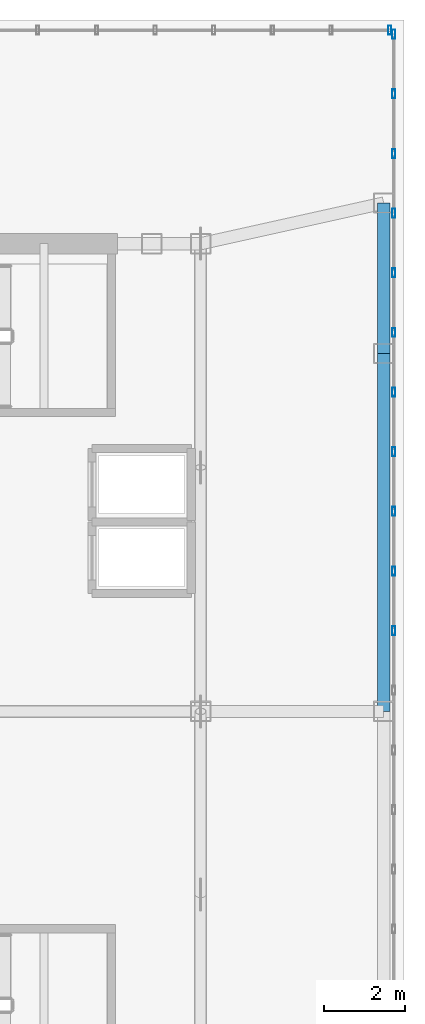
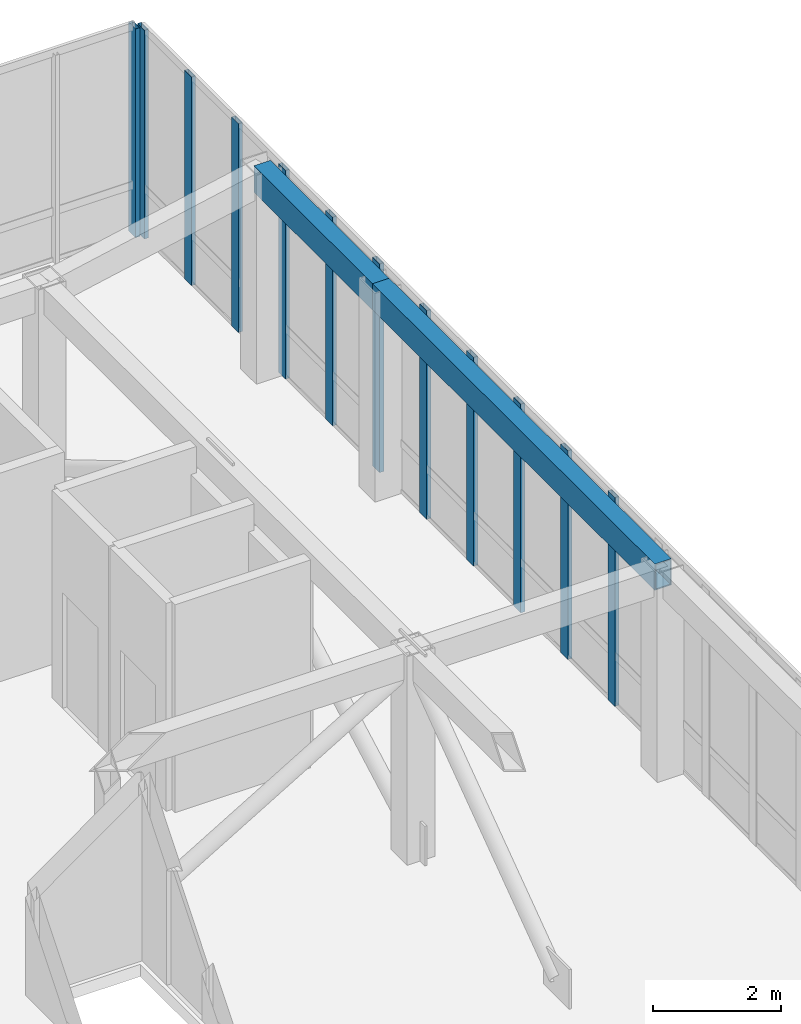
# One storey, part 10 of 13: 12 members, 2 beams, 2 elements without a shape of their own.
"""IFC4 building model written with IfcOpenShell, lengths in metres."""

from ifc_helpers import new_model, si_unit, direction, frame, origin, origin_2d, place, context, subcontext, project, spatial, hollow_rectangle, extrude, source, transform, mapped, material, layer, layer_set, material_profile, profile_set, type_object, element, aggregate, save


model = new_model("IFC4")

# Units and contexts
model_context = context("Model", 3, precision=1e-05, world=origin(), true_north=direction((0.0, 1.0)))
body_context = subcontext(model_context, "Body", "Model", "MODEL_VIEW")
ifc_project = project(units=[si_unit("LENGTHUNIT", "METRE"), si_unit("AREAUNIT", "SQUARE_METRE"), si_unit("VOLUMEUNIT", "CUBIC_METRE"), si_unit("PLANEANGLEUNIT", "RADIAN"), si_unit("MASSUNIT", "GRAM", prefix="KILO")], contexts=[model_context])

# Site, building, storey
site_placement = place(None, origin())
site = spatial("IfcSite", under=ifc_project, at=site_placement, CompositionType="ELEMENT")
building_placement = place(site_placement, origin())
building = spatial("IfcBuilding", under=site, at=building_placement, Name="Kharzan Plaza Tower", CompositionType="ELEMENT")
storey_placement = place(building_placement, frame((0.0, 0.0, 281.39990234375)))
storey = spatial("IfcBuildingStorey", under=building, at=storey_placement, Name="L76-CROWN", CompositionType="ELEMENT", Elevation=281.39990234375)

# Beams
ifc_material_1 = material(Name="Steel S355", Category="steel")
ifc_material_profile_1 = material_profile(ifc_material_1, hollow_rectangle(XDim=0.300048828125, YDim=0.5, WallThickness=0.02001953125, at=origin_2d()), Name="RHS500x300x20")
ifc_profile_set_1 = profile_set([ifc_material_profile_1], Name="Steel S355")
beam_type = type_object("IfcBeamType", Name="BM-CRN500", PredefinedType="BEAM", material=ifc_profile_set_1)
shared_shape_1 = source(origin(), body_context, "Body", "SweptSolid", [
    extrude(hollow_rectangle(XDim=0.300048828125, YDim=0.5, WallThickness=0.02001953125, at=origin_2d()), origin(), (0.0, 0.0, 1.0), 8.800048828125),
])
beam_1_placement = place(storey_placement, frame((19.0, 18.0, 3.72021484375), z_axis=(0.0, 1.0, 0.0), x_axis=(-1.0, 0.0, 0.0)))
element("IfcBeam", 1, at=beam_1_placement, inside=storey, type_object=beam_type, Name="L76-CROWN CROWN FRAME Lantern Ring Beam CRB-E2", PredefinedType="BEAM", context=body_context, shape_type="MappedRepresentation", body=[
    mapped(shared_shape_1, transform((0.0, 0.0, 0.0), x_axis=(1.0, 0.0, 0.0), y_axis=(0.0, 1.0, 0.0), z_axis=(0.0, 0.0, 1.0))),
])
shared_shape_2 = source(origin(), body_context, "Body", "SweptSolid", [
    extrude(hollow_rectangle(XDim=0.300048828125, YDim=0.5, WallThickness=0.02001953125, at=origin_2d()), origin(), (0.0, 0.0, 1.0), 3.699951171875),
])
beam_2_placement = place(storey_placement, frame((19.0, 26.800048828125, 3.72021484375), z_axis=(0.0, 1.0, 0.0), x_axis=(-1.0, 0.0, 0.0)))
element("IfcBeam", 2, at=beam_2_placement, inside=storey, type_object=beam_type, Name="L76-CROWN CROWN FRAME Lantern Ring Beam CRB-E3", PredefinedType="BEAM", context=body_context, shape_type="MappedRepresentation", body=[
    mapped(shared_shape_2, transform((0.0, 0.0, 0.0), x_axis=(1.0, 0.0, 0.0), y_axis=(0.0, 1.0, 0.0), z_axis=(0.0, 0.0, 1.0))),
])

# Curtain wall, members
ifc_material_2 = material(Name="Unitised Bronze-Anodized Aluminium and Low-E Glass", Category="aluminium")
ifc_layer = layer(ifc_material_2, 0.199951171875)
ifc_layer_set = layer_set([ifc_layer], Name="Unitised Bronze-Anodized Aluminium and Low-E Glass")
curtain_wall_type = type_object("IfcCurtainWallType", Name="CW-LANTERN-6", PredefinedType="NOTDEFINED", material=ifc_layer_set)
curtain_wall_1_placement = place(storey_placement, origin())
curtain_wall_1 = element("IfcCurtainWall", 3, at=curtain_wall_1_placement, inside=storey, type_object=curtain_wall_type, Name="L76-CROWN Lantern Crown Illuminated Curtain Wall 2", PredefinedType="NOTDEFINED")
ifc_material_3 = material(Name="Anodized Bronze Aluminium", Category="aluminium")
ifc_material_profile_2 = material_profile(ifc_material_3, hollow_rectangle(XDim=0.074951171875, YDim=0.219970703125, WallThickness=0.00390625, at=origin_2d()), Name="ALU-M220x75x4")
ifc_profile_set_2 = profile_set([ifc_material_profile_2], Name="Anodized Bronze Aluminium")
member_type = type_object("IfcMemberType", Name="MEM-CW-MUL200", PredefinedType="MULLION", material=ifc_profile_set_2)
shared_shape_3 = source(origin(), body_context, "Body", "SweptSolid", [
    extrude(hollow_rectangle(XDim=0.074951171875, YDim=0.219970703125, WallThickness=0.00390625, at=origin_2d()), origin(), (0.0, 0.0, 1.0), 3.97021484375),
])
member_1_placement = place(storey_placement, frame((19.25, 19.9833984375, 0.0), z_axis=(0.0, 0.0, 1.0), x_axis=(1.0, 0.0, 0.0)))
member_1 = element("IfcMember", 4, at=member_1_placement, type_object=member_type, Name="L76-CROWN Curtain-Wall Mullion 11", PredefinedType="MULLION", context=body_context, shape_type="MappedRepresentation", body=[
    mapped(shared_shape_3, transform((0.0, 0.0, 0.0), x_axis=(1.0, 0.0, 0.0), y_axis=(0.0, 1.0, 0.0), z_axis=(0.0, 0.0, 1.0))),
])
member_2_placement = place(storey_placement, frame((19.25, 21.449951171875, 0.0), z_axis=(0.0, 0.0, 1.0), x_axis=(1.0, 0.0, 0.0)))
member_2 = element("IfcMember", 5, at=member_2_placement, type_object=member_type, Name="L76-CROWN Curtain-Wall Mullion 12", PredefinedType="MULLION", context=body_context, shape_type="MappedRepresentation", body=[
    mapped(shared_shape_3, transform((0.0, 0.0, 0.0), x_axis=(1.0, 0.0, 0.0), y_axis=(0.0, 1.0, 0.0), z_axis=(0.0, 0.0, 1.0))),
])
member_3_placement = place(storey_placement, frame((19.25, 22.916748046875, 0.0), z_axis=(0.0, 0.0, 1.0), x_axis=(1.0, 0.0, 0.0)))
member_3 = element("IfcMember", 6, at=member_3_placement, type_object=member_type, Name="L76-CROWN Curtain-Wall Mullion 13", PredefinedType="MULLION", context=body_context, shape_type="MappedRepresentation", body=[
    mapped(shared_shape_3, transform((0.0, 0.0, 0.0), x_axis=(1.0, 0.0, 0.0), y_axis=(0.0, 1.0, 0.0), z_axis=(0.0, 0.0, 1.0))),
])
member_4_placement = place(storey_placement, frame((19.25, 24.38330078125, 0.0), z_axis=(0.0, 0.0, 1.0), x_axis=(1.0, 0.0, 0.0)))
member_4 = element("IfcMember", 7, at=member_4_placement, type_object=member_type, Name="L76-CROWN Curtain-Wall Mullion 14", PredefinedType="MULLION", context=body_context, shape_type="MappedRepresentation", body=[
    mapped(shared_shape_3, transform((0.0, 0.0, 0.0), x_axis=(1.0, 0.0, 0.0), y_axis=(0.0, 1.0, 0.0), z_axis=(0.0, 0.0, 1.0))),
])
member_5_placement = place(storey_placement, frame((19.25, 25.85009765625, 0.0), z_axis=(0.0, 0.0, 1.0), x_axis=(1.0, 0.0, 0.0)))
member_5 = element("IfcMember", 8, at=member_5_placement, type_object=member_type, Name="L76-CROWN Curtain-Wall Mullion 15", PredefinedType="MULLION", context=body_context, shape_type="MappedRepresentation", body=[
    mapped(shared_shape_3, transform((0.0, 0.0, 0.0), x_axis=(1.0, 0.0, 0.0), y_axis=(0.0, 1.0, 0.0), z_axis=(0.0, 0.0, 1.0))),
])
member_6_placement = place(storey_placement, frame((19.25, 27.316650390625, 0.0), z_axis=(0.0, 0.0, 1.0), x_axis=(1.0, 0.0, 0.0)))
member_6 = element("IfcMember", 9, at=member_6_placement, type_object=member_type, Name="L76-CROWN Curtain-Wall Mullion 16", PredefinedType="MULLION", context=body_context, shape_type="MappedRepresentation", body=[
    mapped(shared_shape_3, transform((0.0, 0.0, 0.0), x_axis=(1.0, 0.0, 0.0), y_axis=(0.0, 1.0, 0.0), z_axis=(0.0, 0.0, 1.0))),
])
member_7_placement = place(storey_placement, frame((19.25, 28.783203125, 0.0), z_axis=(0.0, 0.0, 1.0), x_axis=(1.0, 0.0, 0.0)))
member_7 = element("IfcMember", 10, at=member_7_placement, type_object=member_type, Name="L76-CROWN Curtain-Wall Mullion 17", PredefinedType="MULLION", context=body_context, shape_type="MappedRepresentation", body=[
    mapped(shared_shape_3, transform((0.0, 0.0, 0.0), x_axis=(1.0, 0.0, 0.0), y_axis=(0.0, 1.0, 0.0), z_axis=(0.0, 0.0, 1.0))),
])
member_8_placement = place(storey_placement, frame((19.25, 30.25, 0.0), z_axis=(0.0, 0.0, 1.0), x_axis=(1.0, 0.0, 0.0)))
member_8 = element("IfcMember", 11, at=member_8_placement, type_object=member_type, Name="L76-CROWN Curtain-Wall Mullion 18", PredefinedType="MULLION", context=body_context, shape_type="MappedRepresentation", body=[
    mapped(shared_shape_3, transform((0.0, 0.0, 0.0), x_axis=(1.0, 0.0, 0.0), y_axis=(0.0, 1.0, 0.0), z_axis=(0.0, 0.0, 1.0))),
])
member_9_placement = place(storey_placement, frame((19.25, 31.716796875, 0.0), z_axis=(0.0, 0.0, 1.0), x_axis=(1.0, 0.0, 0.0)))
member_9 = element("IfcMember", 12, at=member_9_placement, type_object=member_type, Name="L76-CROWN Curtain-Wall Mullion 19", PredefinedType="MULLION", context=body_context, shape_type="MappedRepresentation", body=[
    mapped(shared_shape_3, transform((0.0, 0.0, 0.0), x_axis=(1.0, 0.0, 0.0), y_axis=(0.0, 1.0, 0.0), z_axis=(0.0, 0.0, 1.0))),
])
member_10_placement = place(storey_placement, frame((19.25, 33.183349609375, 0.0), z_axis=(0.0, 0.0, 1.0), x_axis=(1.0, 0.0, 0.0)))
member_10 = element("IfcMember", 13, at=member_10_placement, type_object=member_type, Name="L76-CROWN Curtain-Wall Mullion 20", PredefinedType="MULLION", context=body_context, shape_type="MappedRepresentation", body=[
    mapped(shared_shape_3, transform((0.0, 0.0, 0.0), x_axis=(1.0, 0.0, 0.0), y_axis=(0.0, 1.0, 0.0), z_axis=(0.0, 0.0, 1.0))),
])
member_11_placement = place(storey_placement, frame((19.25, 34.64990234375, 0.0), z_axis=(0.0, 0.0, 1.0), x_axis=(1.0, 0.0, 0.0)))
member_11 = element("IfcMember", 14, at=member_11_placement, type_object=member_type, Name="L76-CROWN Curtain-Wall Mullion 21", PredefinedType="MULLION", context=body_context, shape_type="MappedRepresentation", body=[
    mapped(shared_shape_3, transform((0.0, 0.0, 0.0), x_axis=(1.0, 0.0, 0.0), y_axis=(0.0, 1.0, 0.0), z_axis=(0.0, 0.0, 1.0))),
])
aggregate(curtain_wall_1, [member_1, member_2, member_3, member_4, member_5, member_6, member_7, member_8, member_9, member_10, member_11])

# Curtain wall, member
curtain_wall_2_placement = place(storey_placement, origin())
curtain_wall_2 = element("IfcCurtainWall", 15, at=curtain_wall_2_placement, inside=storey, type_object=curtain_wall_type, Name="L76-CROWN Lantern Crown Illuminated Curtain Wall 3", PredefinedType="NOTDEFINED")
member_12_placement = place(storey_placement, frame((19.14990234375, 34.75, 0.0), z_axis=(0.0, 0.0, 1.0), x_axis=(1.0, 0.0, 0.0)))
member_12 = element("IfcMember", 16, at=member_12_placement, type_object=member_type, Name="L76-CROWN Curtain-Wall Mullion 00", PredefinedType="MULLION", context=body_context, shape_type="MappedRepresentation", body=[
    mapped(shared_shape_3, transform((0.0, 0.0, 0.0), x_axis=(1.0, 0.0, 0.0), y_axis=(0.0, 1.0, 0.0), z_axis=(0.0, 0.0, 1.0))),
])
aggregate(curtain_wall_2, [member_12])

save(model, "model.ifc")
